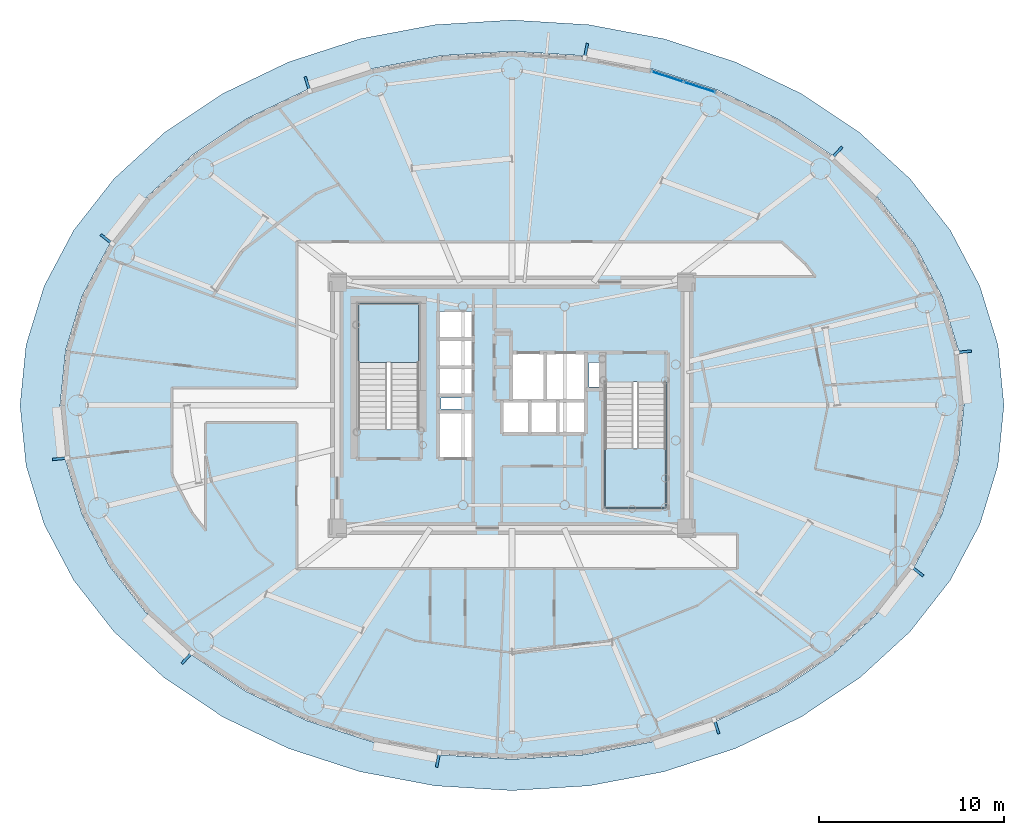
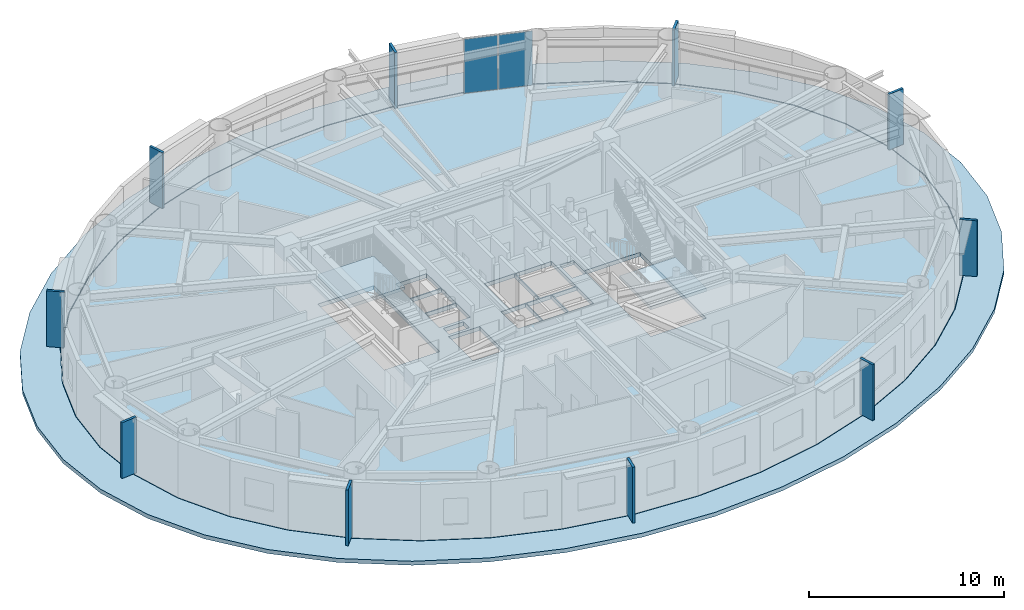
# One storey, part 6 of 19: 12 plates, 4 slabs, 3 elements without a shape of their own.
"""IFC4 building model written with IfcOpenShell, lengths in metres."""

from ifc_helpers import new_model, si_unit, direction, frame, origin, origin_2d, place, context, subcontext, project, spatial, polyline, rectangle, outline, extrude, source, transform, mapped, material, layer, layer_set, type_object, element, aggregate, save


model = new_model("IFC4")

# Units and contexts
model_context = context("Model", 3, precision=1e-05, world=origin(), true_north=direction((0.0, 1.0)))
body_context = subcontext(model_context, "Body", "Model", "MODEL_VIEW")
ifc_project = project(units=[si_unit("LENGTHUNIT", "METRE"), si_unit("AREAUNIT", "SQUARE_METRE"), si_unit("VOLUMEUNIT", "CUBIC_METRE"), si_unit("PLANEANGLEUNIT", "RADIAN"), si_unit("MASSUNIT", "GRAM", prefix="KILO")], contexts=[model_context])

# Site, building, storey
site_placement = place(None, origin())
site = spatial("IfcSite", under=ifc_project, at=site_placement, CompositionType="ELEMENT")
building_placement = place(site_placement, origin())
building = spatial("IfcBuilding", under=site, at=building_placement, Name="Linh Dai School and Residence Tower", CompositionType="ELEMENT")
storey_placement = place(building_placement, frame((0.0, 0.0, 210.300048828125)))
storey = spatial("IfcBuildingStorey", under=building, at=storey_placement, Name="L51", CompositionType="ELEMENT", Elevation=210.300048828125)

# Slabs
ifc_material_1 = material(Name="Concrete B45 (C35/45)", Category="concrete")
ifc_layer_1 = layer(ifc_material_1, 0.25)
ifc_layer_set_1 = layer_set([ifc_layer_1], Name="Concrete B45 (C35/45)")
slab_type_1 = type_object("IfcSlabType", Name="SLB-FLR250", PredefinedType="FLOOR", material=ifc_layer_set_1)
slab_1_placement = place(storey_placement, frame((0.0, 0.0, -0.25)))
element("IfcSlab", 1, at=slab_1_placement, inside=storey, type_object=slab_type_1, Name="L51 Composite Structural Floor Slab", PredefinedType="FLOOR", context=body_context, shape_type="SweptSolid", body=[
    extrude(outline(polyline([(60.39990234375, 27.0), (60.099609375, 29.98876953125), (59.205810546875, 32.90380859375), (57.740478515625, 35.673583984375), (55.739990234375, 38.229736328125), (53.25341796875, 40.50927734375), (50.342041015625, 42.456298828125), (47.077392578125, 44.022705078125), (43.5400390625, 45.169921875), (39.81689453125, 45.869873046875), (36.0, 46.10498046875), (32.18310546875, 45.869873046875), (28.4599609375, 45.169921875), (24.922607421875, 44.022705078125), (21.657958984375, 42.456298828125), (18.74658203125, 40.50927734375), (16.260009765625, 38.229736328125), (14.259521484375, 35.673583984375), (12.794189453125, 32.90380859375), (11.900390625, 29.98876953125), (11.60009765625, 27.0), (11.900390625, 24.01123046875), (12.794189453125, 21.09619140625), (14.259521484375, 18.326416015625), (16.260009765625, 15.770263671875), (18.74658203125, 13.49072265625), (21.657958984375, 11.543701171875), (24.922607421875, 9.977294921875), (28.4599609375, 8.830078125), (32.18310546875, 8.130126953125), (36.0, 7.89501953125), (39.81689453125, 8.130126953125), (43.5400390625, 8.830078125), (47.077392578125, 9.977294921875), (50.342041015625, 11.543701171875), (53.25341796875, 13.49072265625), (55.739990234375, 15.770263671875), (57.740478515625, 18.326416015625), (59.205810546875, 21.09619140625), (60.099609375, 24.01123046875), (60.39990234375, 27.0)]), holes=[polyline([(30.97998046875, 25.699951171875), (30.97998046875, 32.5), (27.679931640625, 32.5), (27.679931640625, 25.699951171875), (30.97998046875, 25.699951171875)]), polyline([(41.02001953125, 28.25), (41.02001953125, 21.449951171875), (44.320068359375, 21.449951171875), (44.320068359375, 28.25), (41.02001953125, 28.25)]), polyline([(35.97998046875, 27.280029296875), (37.77001953125, 27.280029296875), (37.77001953125, 29.820068359375), (35.97998046875, 29.820068359375), (35.97998046875, 27.280029296875)]), polyline([(32.030029296875, 24.1298828125), (33.8701171875, 24.1298828125), (33.8701171875, 26.6201171875), (32.030029296875, 26.6201171875), (32.030029296875, 24.1298828125)]), polyline([(37.830078125, 27.280029296875), (39.969970703125, 27.280029296875), (39.969970703125, 29.820068359375), (37.830078125, 29.820068359375), (37.830078125, 27.280029296875)]), polyline([(32.030029296875, 27.580078125), (33.8701171875, 27.580078125), (33.8701171875, 29.030029296875), (32.030029296875, 29.030029296875), (32.030029296875, 27.580078125)]), polyline([(32.030029296875, 29.090087890625), (33.8701171875, 29.090087890625), (33.8701171875, 30.550048828125), (32.030029296875, 30.550048828125), (32.030029296875, 29.090087890625)]), polyline([(32.030029296875, 30.610107421875), (33.8701171875, 30.610107421875), (33.8701171875, 32.070068359375), (32.030029296875, 32.070068359375), (32.030029296875, 30.610107421875)]), polyline([(35.47998046875, 25.47998046875), (36.929931640625, 25.47998046875), (36.929931640625, 27.219970703125), (35.47998046875, 27.219970703125), (35.47998046875, 25.47998046875)]), polyline([(36.989990234375, 25.47998046875), (38.449951171875, 25.47998046875), (38.449951171875, 27.219970703125), (36.989990234375, 27.219970703125), (36.989990234375, 25.47998046875)]), polyline([(38.510009765625, 25.47998046875), (39.969970703125, 25.47998046875), (39.969970703125, 27.219970703125), (38.510009765625, 27.219970703125), (38.510009765625, 25.47998046875)]), polyline([(40.14990234375, 28.0), (40.14990234375, 29.300048828125), (41.0, 29.300048828125), (41.0, 28.280029296875), (40.989990234375, 28.280029296875), (40.989990234375, 28.0), (40.14990234375, 28.0)]), polyline([(32.14990234375, 26.800048828125), (33.35009765625, 26.800048828125), (33.35009765625, 27.39990234375), (32.14990234375, 27.39990234375), (32.14990234375, 26.800048828125)])]), origin(), (0.0, 0.0, 1.0), 0.25),
])
ifc_layer_2 = layer(ifc_material_1, 0.300048828125)
ifc_layer_set_2 = layer_set([ifc_layer_2], Name="Concrete B45 (C35/45)")
slab_type_2 = type_object("IfcSlabType", Name="SLB-ROOF300", PredefinedType="ROOF", material=ifc_layer_set_2)
slab_2_placement = place(storey_placement, frame((0.0, 0.0, -0.25)))
element("IfcSlab", 2, at=slab_2_placement, inside=storey, type_object=slab_type_2, Name="L51 Setback Step Insulated Roof Slab", PredefinedType="ROOF", context=body_context, shape_type="SweptSolid", body=[
    extrude(outline(polyline([(62.60009765625, 27.0), (62.2724609375, 30.258544921875), (61.298095703125, 33.436767578125), (59.70068359375, 36.45654296875), (57.519775390625, 39.24365234375), (54.80908203125, 41.72900390625), (51.635009765625, 43.851806640625), (48.076171875, 45.5595703125), (44.219970703125, 46.810546875), (40.1611328125, 47.573486328125), (36.0, 47.830078125), (31.8388671875, 47.573486328125), (27.780029296875, 46.810546875), (23.923828125, 45.5595703125), (20.364990234375, 43.851806640625), (17.19091796875, 41.72900390625), (14.480224609375, 39.24365234375), (12.29931640625, 36.45654296875), (10.701904296875, 33.436767578125), (9.7275390625, 30.258544921875), (9.39990234375, 27.0), (9.7275390625, 23.741455078125), (10.701904296875, 20.563232421875), (12.29931640625, 17.54345703125), (14.480224609375, 14.75634765625), (17.19091796875, 12.27099609375), (20.364990234375, 10.148193359375), (23.923828125, 8.4404296875), (27.780029296875, 7.189453125), (31.8388671875, 6.426513671875), (36.0, 6.169921875), (40.1611328125, 6.426513671875), (44.219970703125, 7.189453125), (48.076171875, 8.4404296875), (51.635009765625, 10.148193359375), (54.80908203125, 12.27099609375), (57.519775390625, 14.75634765625), (59.70068359375, 17.54345703125), (61.298095703125, 20.563232421875), (62.2724609375, 23.741455078125), (62.60009765625, 27.0)]), holes=[polyline([(60.429931640625, 27.0), (60.129150390625, 29.993408203125), (59.234375, 32.9130859375), (57.767333984375, 35.68701171875), (55.764404296875, 38.247314453125), (53.274658203125, 40.530517578125), (50.359619140625, 42.48046875), (47.091064453125, 44.04931640625), (43.54931640625, 45.198486328125), (39.82177734375, 45.8994140625), (36.0, 46.135009765625), (32.17822265625, 45.8994140625), (28.45068359375, 45.198486328125), (24.908935546875, 44.04931640625), (21.640380859375, 42.48046875), (18.725341796875, 40.530517578125), (16.235595703125, 38.247314453125), (14.232666015625, 35.68701171875), (12.765625, 32.9130859375), (11.870849609375, 29.993408203125), (11.570068359375, 27.0), (11.870849609375, 24.006591796875), (12.765625, 21.0869140625), (14.232666015625, 18.31298828125), (16.235595703125, 15.752685546875), (18.725341796875, 13.469482421875), (21.640380859375, 11.51953125), (24.908935546875, 9.95068359375), (28.45068359375, 8.801513671875), (32.17822265625, 8.1005859375), (36.0, 7.864990234375), (39.82177734375, 8.1005859375), (43.54931640625, 8.801513671875), (47.091064453125, 9.95068359375), (50.359619140625, 11.51953125), (53.274658203125, 13.469482421875), (55.764404296875, 15.752685546875), (57.767333984375, 18.31298828125), (59.234375, 21.0869140625), (60.129150390625, 24.006591796875), (60.429931640625, 27.0)])]), origin(), (0.0, 0.0, 1.0), 0.25),
])

# Stair, slab
stair_type = type_object("IfcStairType", Name="ST-DOG-1550-R1442", PredefinedType="HALF_TURN_STAIR", material=ifc_material_1)
stair_1_placement = place(storey_placement, origin())
stair_1 = element("IfcStair", 3, at=stair_1_placement, inside=storey, type_object=stair_type, Name="L51 Core Smokeproof Exit Stair ST1", PredefinedType="HALF_TURN_STAIR")
ifc_layer_3 = layer(ifc_material_1, 0.199951171875)
ifc_layer_set_3 = layer_set([ifc_layer_3], Name="Concrete B45 (C35/45)")
slab_type_3 = type_object("IfcSlabType", Name="SLB-ST-LANDING-200", PredefinedType="LANDING", material=ifc_layer_set_3)
slab_3_placement = place(storey_placement, frame((0.0, 0.0, 1.675048828125)))
slab_3 = element("IfcSlab", 4, at=slab_3_placement, type_object=slab_type_3, Name="ST1 landing 1", PredefinedType="LANDING", context=body_context, shape_type="SweptSolid", body=[
    extrude(outline(polyline([(30.97998046875, 29.300048828125), (30.97998046875, 32.5), (27.679931640625, 32.5), (27.679931640625, 29.300048828125), (30.97998046875, 29.300048828125)])), origin(), (0.0, 0.0, 1.0), 0.199951171875),
])
aggregate(stair_1, [slab_3])

stair_2_placement = place(storey_placement, origin())
stair_2 = element("IfcStair", 5, at=stair_2_placement, inside=storey, type_object=stair_type, Name="L51 Core Smokeproof Exit Stair ST2", PredefinedType="HALF_TURN_STAIR")
slab_4_placement = place(storey_placement, frame((0.0, 0.0, 1.675048828125)))
slab_4 = element("IfcSlab", 6, at=slab_4_placement, type_object=slab_type_3, Name="ST2 landing 1", PredefinedType="LANDING", context=body_context, shape_type="SweptSolid", body=[
    extrude(outline(polyline([(41.02001953125, 24.64990234375), (41.02001953125, 21.449951171875), (44.320068359375, 21.449951171875), (44.320068359375, 24.64990234375), (41.02001953125, 24.64990234375)])), origin(), (0.0, 0.0, 1.0), 0.199951171875),
])
aggregate(stair_2, [slab_4])

# Plates
ifc_material_2 = material(Name="Precast Concrete B45 (C35/45)", Category="concrete")
ifc_layer_4 = layer(ifc_material_2, 0.139892578125)
ifc_layer_set_4 = layer_set([ifc_layer_4], Name="Precast Concrete B45 (C35/45)")
plate_type_1 = type_object("IfcPlateType", Name="FIN-TC-900x140", PredefinedType="USERDEFINED", material=ifc_layer_set_4)
shared_shape_1 = source(origin(), body_context, "Body", "SweptSolid", [
    extrude(rectangle(XDim=0.89990234375, YDim=0.139892578125, at=origin_2d()), origin(), (0.0, 0.0, 1.0), 3.5),
])
for number, where, z_axis, x_axis, name in (
    (7, (60.39697265625, 29.885498046875, 0.0), (0.0, 0.0, 1.0), (0.99498620644, 0.100012244219, 0.0), "L51 Precast Terracotta Radial Fin 01"),
    (8, (53.541748046875, 40.632080078125, 0.0), (0.0, 0.0, 1.0), (0.675757574408, 0.737123938446, 0.0), "L51 Precast Terracotta Radial Fin 05"),
    (9, (39.995361328125, 46.12646484375, 0.0), (0.0, 0.0, 1.0), (0.18474448537, 0.982786586765, 0.0), "L51 Precast Terracotta Radial Fin 09"),
    (10, (24.95654296875, 44.33349609375, 0.0), (0.0, 0.0, 1.0), (-0.308501065272, 0.951223997135, 0.0), "L51 Precast Terracotta Radial Fin 13"),
    (11, (14.115234375, 35.952392578125, 0.0), (0.0, 0.0, 1.0), (-0.787486677066, 0.616331674867, 0.0), "L51 Precast Terracotta Radial Fin 17"),
    (12, (11.60302734375, 24.114501953125, 0.0), (0.0, 0.0, 1.0), (-0.99498620644, -0.100012244219, 0.0), "L51 Precast Terracotta Radial Fin 21"),
    (13, (18.458251953125, 13.367919921875, 0.0), (0.0, 0.0, 1.0), (-0.675756089102, -0.737125300096, 0.0), "L51 Precast Terracotta Radial Fin 25"),
    (14, (32.004638671875, 7.87353515625, 0.0), (0.0, 0.0, 1.0), (-0.18474448537, -0.982786586765, 0.0), "L51 Precast Terracotta Radial Fin 29"),
    (15, (47.04345703125, 9.66650390625, 0.0), (0.0, 0.0, 1.0), (0.308501065272, -0.951223997135, 0.0), "L51 Precast Terracotta Radial Fin 33"),
    (16, (57.884765625, 18.047607421875, 0.0), (0.0, 0.0, 1.0), (0.787485171888, -0.616333598027, 0.0), "L51 Precast Terracotta Radial Fin 37"),
):
    element("IfcPlate", number, at=place(storey_placement, frame(where, z_axis=z_axis, x_axis=x_axis)), inside=storey, type_object=plate_type_1, Name=name, ObjectType="RADIAL FIN", PredefinedType="USERDEFINED", context=body_context, shape_type="MappedRepresentation", body=[
        mapped(shared_shape_1, transform((0.0, 0.0, 0.0), x_axis=(1.0, 0.0, 0.0), y_axis=(0.0, 1.0, 0.0), z_axis=(0.0, 0.0, 1.0), scale=1.0)),
    ])

# Curtain wall, plates
ifc_material_3 = material(Name="Aluminium Anodised Curtain Wall", Category="aluminium")
ifc_layer_5 = layer(ifc_material_3, 0.14990234375)
ifc_layer_set_5 = layer_set([ifc_layer_5], Name="Aluminium Anodised Curtain Wall")
curtain_wall_type = type_object("IfcCurtainWallType", Name="CW-SYS-4", PredefinedType="USERDEFINED", material=ifc_layer_set_5)
curtain_wall_placement = place(storey_placement, origin())
curtain_wall = element("IfcCurtainWall", 17, at=curtain_wall_placement, inside=storey, type_object=curtain_wall_type, Name="L51 CW4 Curtain Wall 08", ObjectType="RIBBON CURTAIN WALL", PredefinedType="USERDEFINED")
ifc_material_4 = material(Name="Double Low-E Insulated Glazing", Category="glass")
ifc_layer_6 = layer(ifc_material_4, 0.02587890625)
ifc_layer_set_6 = layer_set([ifc_layer_6], Name="Double Low-E Insulated Glazing")
plate_type_2 = type_object("IfcPlateType", Name="CW-SYS-4-PAN", PredefinedType="CURTAIN_PANEL", material=ifc_layer_set_6)
shared_shape_2 = source(origin(), body_context, "Body", "SweptSolid", [
    extrude(rectangle(XDim=1.773193359375, YDim=0.02587890625, at=origin_2d()), origin(), (0.0, 0.0, 1.0), 3.39599609375),
])
plate_1_placement = place(storey_placement, frame((44.402099609375, 44.75927734375, 0.052001953125), z_axis=(0.0, 0.0, 1.0), x_axis=(0.951223997135, -0.308501065272, 0.0)))
plate_1 = element("IfcPlate", 18, at=plate_1_placement, type_object=plate_type_2, Name="CW4 panel 1.1", PredefinedType="CURTAIN_PANEL", context=body_context, shape_type="MappedRepresentation", body=[
    mapped(shared_shape_2, transform((0.0, 0.0, 0.0), x_axis=(1.0, 0.0, 0.0), y_axis=(0.0, 1.0, 0.0), z_axis=(0.0, 0.0, 1.0), scale=1.0)),
])
plate_2_placement = place(storey_placement, frame((46.13818359375, 44.196044921875, 0.052001953125), z_axis=(0.0, 0.0, 1.0), x_axis=(0.951223997135, -0.308501065272, 0.0)))
plate_2 = element("IfcPlate", 19, at=plate_2_placement, type_object=plate_type_2, Name="CW4 panel 2.1", PredefinedType="CURTAIN_PANEL", context=body_context, shape_type="MappedRepresentation", body=[
    mapped(shared_shape_2, transform((0.0, 0.0, 0.0), x_axis=(1.0, 0.0, 0.0), y_axis=(0.0, 1.0, 0.0), z_axis=(0.0, 0.0, 1.0), scale=1.0)),
])
aggregate(curtain_wall, [plate_1, plate_2])

save(model, "model.ifc")
